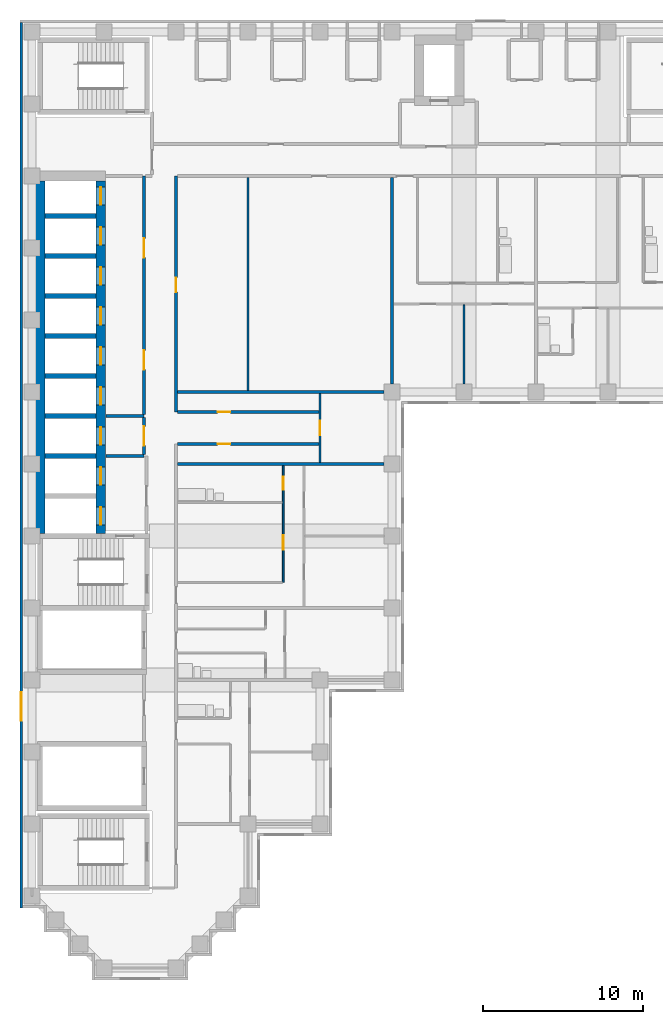
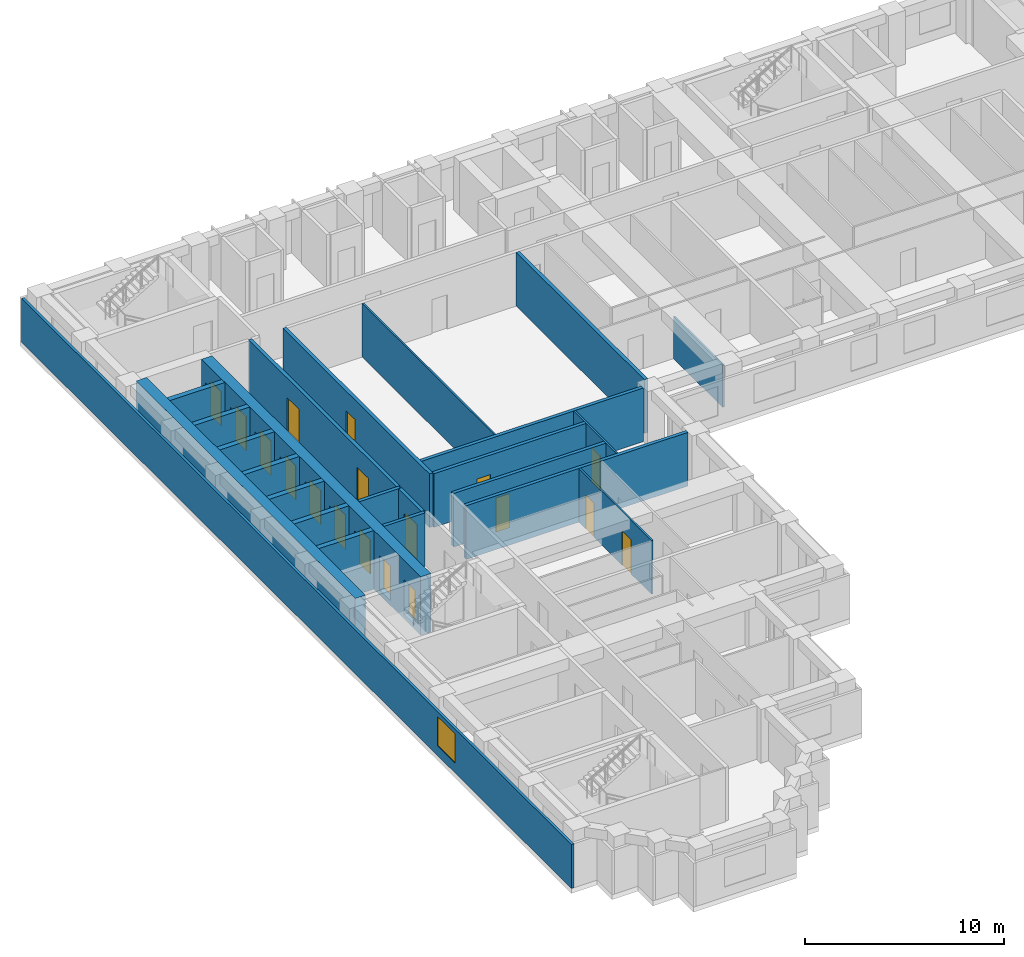
# One storey, part 4 of 12: 24 walls, 18 doors, 1 window, 19 openings.
"""IFC4 building model written with IfcOpenShell, lengths in metres."""

from ifc_helpers import new_model, si_unit, direction, frame, frame_2d, origin, place, context, subcontext, project, spatial, rectangle, extrude, material, layer, layer_set, type_object, element, fill, save


model = new_model("IFC4")

# Units and contexts
model_context = context("Model", 3, precision=1e-05, world=origin(), true_north=direction((0.0, 1.0)))
body_context = subcontext(model_context, "Body", "Model", "MODEL_VIEW")
ifc_project = project(units=[si_unit("LENGTHUNIT", "METRE"), si_unit("AREAUNIT", "SQUARE_METRE"), si_unit("VOLUMEUNIT", "CUBIC_METRE"), si_unit("PLANEANGLEUNIT", "RADIAN"), si_unit("MASSUNIT", "GRAM", prefix="KILO")], contexts=[model_context])

# Site, building, storey
site_placement = place(None, origin())
site = spatial("IfcSite", under=ifc_project, at=site_placement, CompositionType="ELEMENT")
building_placement = place(site_placement, origin())
building = spatial("IfcBuilding", under=site, at=building_placement, Name="Firuza Court", CompositionType="ELEMENT")
storey_placement = place(building_placement, frame((0.0, 0.0, 123.199951171875)))
storey = spatial("IfcBuildingStorey", under=building, at=storey_placement, Name="L30", CompositionType="ELEMENT", Elevation=123.199951171875)

# Walls
ifc_material_1 = material(Name="Concrete C60/75", Category="concrete")
ifc_layer_1 = layer(ifc_material_1, 0.300048828125)
ifc_layer_set_1 = layer_set([ifc_layer_1], Name="Concrete C60/75")
wall_type_1 = type_object("IfcWallType", Name="Core wall 300 C60/75", PredefinedType="SHEAR", material=ifc_layer_set_1)
for number, where, z_axis, x_axis, name in (
    (1, (0.800048828125, 32.0, -0.300048828125), (0.0, 0.0, 1.0), (1.0, 0.0, 0.0), "Core wall lift shaft L30"),
    (2, (0.800048828125, 34.5, -0.300048828125), (0.0, 0.0, 1.0), (1.0, 0.0, 0.0), "Core wall lift shaft L30"),
    (3, (0.800048828125, 37.0, -0.300048828125), (0.0, 0.0, 1.0), (1.0, 0.0, 0.0), "Core wall lift shaft L30"),
    (4, (0.800048828125, 39.5, -0.300048828125), (0.0, 0.0, 1.0), (1.0, 0.0, 0.0), "Core wall lift shaft L30"),
    (5, (0.800048828125, 42.0, -0.300048828125), (0.0, 0.0, 1.0), (1.0, 0.0, 0.0), "Core wall lift shaft L30"),
    (6, (0.800048828125, 44.5, -0.300048828125), (0.0, 0.0, 1.0), (1.0, 0.0, 0.0), "Core wall lift shaft L30"),
    (7, (0.800048828125, 47.0, -0.300048828125), (0.0, 0.0, 1.0), (1.0, 0.0, 0.0), "Core wall lift shaft L30"),
):
    element("IfcWall", number, at=place(storey_placement, frame(where, z_axis=z_axis, x_axis=x_axis)), inside=storey, type_object=wall_type_1, Name=name, PredefinedType="SHEAR", context=body_context, shape_type="SweptSolid", body=[
        extrude(rectangle(XDim=3.199951171875, YDim=0.300048828125, at=frame_2d((1.60009765625, 0.0))), origin(), (0.0, 0.0, 1.0), 3.60009765625),
    ])
ifc_layer_2 = layer(ifc_material_1, 0.60009765625)
ifc_layer_set_2 = layer_set([ifc_layer_2], Name="Concrete C60/75")
wall_type_2 = type_object("IfcWallType", Name="Core wall 600 C60/75", PredefinedType="SHEAR", material=ifc_layer_set_2)
wall_1_placement = place(storey_placement, frame((0.5, 27.14990234375, -0.300048828125), z_axis=(0.0, 0.0, 1.0), x_axis=(0.0, 1.0, 0.0)))
element("IfcWall", 8, at=wall_1_placement, inside=storey, type_object=wall_type_2, Name="Core wall lift shaft L30", PredefinedType="SHEAR", context=body_context, shape_type="SweptSolid", body=[
    extrude(rectangle(XDim=22.050048828125, YDim=0.60009765625, at=frame_2d((11.02490234375, 0.0))), origin(), (0.0, 0.0, 1.0), 3.60009765625),
])

# Wall, openings, doors
wall_2_placement = place(storey_placement, frame((4.300048828125, 27.14990234375, -0.300048828125), z_axis=(0.0, 0.0, 1.0), x_axis=(0.0, 1.0, 0.0)))
wall_2 = element("IfcWall", 9, at=wall_2_placement, inside=storey, type_object=wall_type_2, Name="Core wall lift shaft L30", PredefinedType="SHEAR", context=body_context, shape_type="SweptSolid", body=[
    extrude(rectangle(XDim=22.050048828125, YDim=0.60009765625, at=frame_2d((11.02490234375, 0.0))), origin(), (0.0, 0.0, 1.0), 3.60009765625),
])
opening_1_placement = place(wall_2_placement, frame((3.050048828125, 0.0, 0.300048828125)))
opening_1 = element("IfcOpeningElement", 10, at=opening_1_placement, cuts=wall_2, Name="Opening LD-FL1-30", PredefinedType="OPENING", context=body_context, shape_type="SweptSolid", body=[
    extrude(rectangle(XDim=1.10009765625, YDim=2.10009765625, at=frame_2d((0.550048828125, 1.050048828125))), frame((0.0, 0.31201171875, 0.0), z_axis=(0.0, -1.0, 0.0), x_axis=(1.0, 0.0, 0.0)), (0.0, 0.0, 1.0), 0.6240234375),
])
opening_2_placement = place(wall_2_placement, frame((0.550048828125, 0.0, 0.300048828125)))
opening_2 = element("IfcOpeningElement", 11, at=opening_2_placement, cuts=wall_2, Name="Opening LD-FL2-30", PredefinedType="OPENING", context=body_context, shape_type="SweptSolid", body=[
    extrude(rectangle(XDim=1.10009765625, YDim=2.10009765625, at=frame_2d((0.550048828125, 1.050048828125))), frame((0.0, 0.31201171875, 0.0), z_axis=(0.0, -1.0, 0.0), x_axis=(1.0, 0.0, 0.0)), (0.0, 0.0, 1.0), 0.6240234375),
])
opening_3_placement = place(wall_2_placement, frame((20.550048828125, 0.0, 0.300048828125)))
opening_3 = element("IfcOpeningElement", 12, at=opening_3_placement, cuts=wall_2, Name="Opening LD-HB1-30", PredefinedType="OPENING", context=body_context, shape_type="SweptSolid", body=[
    extrude(rectangle(XDim=1.10009765625, YDim=2.10009765625, at=frame_2d((0.550048828125, 1.050048828125))), frame((0.0, 0.31201171875, 0.0), z_axis=(0.0, -1.0, 0.0), x_axis=(1.0, 0.0, 0.0)), (0.0, 0.0, 1.0), 0.6240234375),
])
opening_4_placement = place(wall_2_placement, frame((18.050048828125, 0.0, 0.300048828125)))
opening_4 = element("IfcOpeningElement", 13, at=opening_4_placement, cuts=wall_2, Name="Opening LD-HB2-30", PredefinedType="OPENING", context=body_context, shape_type="SweptSolid", body=[
    extrude(rectangle(XDim=1.10009765625, YDim=2.10009765625, at=frame_2d((0.550048828125, 1.050048828125))), frame((0.0, 0.31201171875, 0.0), z_axis=(0.0, -1.0, 0.0), x_axis=(1.0, 0.0, 0.0)), (0.0, 0.0, 1.0), 0.6240234375),
])
opening_5_placement = place(wall_2_placement, frame((15.550048828125, 0.0, 0.300048828125)))
opening_5 = element("IfcOpeningElement", 14, at=opening_5_placement, cuts=wall_2, Name="Opening LD-HB3-30", PredefinedType="OPENING", context=body_context, shape_type="SweptSolid", body=[
    extrude(rectangle(XDim=1.10009765625, YDim=2.10009765625, at=frame_2d((0.550048828125, 1.050048828125))), frame((0.0, 0.31201171875, 0.0), z_axis=(0.0, -1.0, 0.0), x_axis=(1.0, 0.0, 0.0)), (0.0, 0.0, 1.0), 0.6240234375),
])
opening_6_placement = place(wall_2_placement, frame((13.050048828125, 0.0, 0.300048828125)))
opening_6 = element("IfcOpeningElement", 15, at=opening_6_placement, cuts=wall_2, Name="Opening LD-HB4-30", PredefinedType="OPENING", context=body_context, shape_type="SweptSolid", body=[
    extrude(rectangle(XDim=1.10009765625, YDim=2.10009765625, at=frame_2d((0.550048828125, 1.050048828125))), frame((0.0, 0.31201171875, 0.0), z_axis=(0.0, -1.0, 0.0), x_axis=(1.0, 0.0, 0.0)), (0.0, 0.0, 1.0), 0.6240234375),
])
opening_7_placement = place(wall_2_placement, frame((10.550048828125, 0.0, 0.300048828125)))
opening_7 = element("IfcOpeningElement", 16, at=opening_7_placement, cuts=wall_2, Name="Opening LD-HB5-30", PredefinedType="OPENING", context=body_context, shape_type="SweptSolid", body=[
    extrude(rectangle(XDim=1.10009765625, YDim=2.10009765625, at=frame_2d((0.550048828125, 1.050048828125))), frame((0.0, 0.31201171875, 0.0), z_axis=(0.0, -1.0, 0.0), x_axis=(1.0, 0.0, 0.0)), (0.0, 0.0, 1.0), 0.6240234375),
])
opening_8_placement = place(wall_2_placement, frame((8.050048828125, 0.0, 0.300048828125)))
opening_8 = element("IfcOpeningElement", 17, at=opening_8_placement, cuts=wall_2, Name="Opening LD-HB6-30", PredefinedType="OPENING", context=body_context, shape_type="SweptSolid", body=[
    extrude(rectangle(XDim=1.10009765625, YDim=2.10009765625, at=frame_2d((0.550048828125, 1.050048828125))), frame((0.0, 0.31201171875, 0.0), z_axis=(0.0, -1.0, 0.0), x_axis=(1.0, 0.0, 0.0)), (0.0, 0.0, 1.0), 0.6240234375),
])
opening_9_placement = place(wall_2_placement, frame((5.550048828125, 0.0, 0.300048828125)))
opening_9 = element("IfcOpeningElement", 18, at=opening_9_placement, cuts=wall_2, Name="Opening LD-SL1-30", PredefinedType="OPENING", context=body_context, shape_type="SweptSolid", body=[
    extrude(rectangle(XDim=1.10009765625, YDim=2.10009765625, at=frame_2d((0.550048828125, 1.050048828125))), frame((0.0, 0.31201171875, 0.0), z_axis=(0.0, -1.0, 0.0), x_axis=(1.0, 0.0, 0.0)), (0.0, 0.0, 1.0), 0.6240234375),
])
ifc_material_2 = material(Name="Stainless steel 1.4301 door leaf", Category="steel")
door_type_1 = type_object("IfcDoorType", Name="Lift landing door 1100", OperationType="SLIDING_TO_LEFT", PredefinedType="DOOR", material=ifc_material_2)
door_1_placement = place(opening_1_placement, origin())
door_1 = element("IfcDoor", 19, at=door_1_placement, inside=storey, type_object=door_type_1, Name="Landing door FL1", OperationType="SLIDING_TO_LEFT", OverallHeight=2.10009765625, OverallWidth=1.10009765625, PredefinedType="DOOR", context=body_context, shape_type="SweptSolid", body=[
    extrude(rectangle(XDim=1.10009765625, YDim=2.10009765625, at=frame_2d((0.550048828125, 1.050048828125))), frame((0.0, 0.02490234375, 0.0), z_axis=(0.0, -1.0, 0.0), x_axis=(1.0, 0.0, 0.0)), (0.0, 0.0, 1.0), 0.050048828125),
])
fill(opening_1, door_1)
door_2_placement = place(opening_2_placement, origin())
door_2 = element("IfcDoor", 20, at=door_2_placement, inside=storey, type_object=door_type_1, Name="Landing door FL2", OperationType="SLIDING_TO_LEFT", OverallHeight=2.10009765625, OverallWidth=1.10009765625, PredefinedType="DOOR", context=body_context, shape_type="SweptSolid", body=[
    extrude(rectangle(XDim=1.10009765625, YDim=2.10009765625, at=frame_2d((0.550048828125, 1.050048828125))), frame((0.0, 0.02490234375, 0.0), z_axis=(0.0, -1.0, 0.0), x_axis=(1.0, 0.0, 0.0)), (0.0, 0.0, 1.0), 0.050048828125),
])
fill(opening_2, door_2)
door_3_placement = place(opening_3_placement, origin())
door_3 = element("IfcDoor", 21, at=door_3_placement, inside=storey, type_object=door_type_1, Name="Landing door HB1", OperationType="SLIDING_TO_LEFT", OverallHeight=2.10009765625, OverallWidth=1.10009765625, PredefinedType="DOOR", context=body_context, shape_type="SweptSolid", body=[
    extrude(rectangle(XDim=1.10009765625, YDim=2.10009765625, at=frame_2d((0.550048828125, 1.050048828125))), frame((0.0, 0.02490234375, 0.0), z_axis=(0.0, -1.0, 0.0), x_axis=(1.0, 0.0, 0.0)), (0.0, 0.0, 1.0), 0.050048828125),
])
fill(opening_3, door_3)
door_4_placement = place(opening_4_placement, origin())
door_4 = element("IfcDoor", 22, at=door_4_placement, inside=storey, type_object=door_type_1, Name="Landing door HB2", OperationType="SLIDING_TO_LEFT", OverallHeight=2.10009765625, OverallWidth=1.10009765625, PredefinedType="DOOR", context=body_context, shape_type="SweptSolid", body=[
    extrude(rectangle(XDim=1.10009765625, YDim=2.10009765625, at=frame_2d((0.550048828125, 1.050048828125))), frame((0.0, 0.02490234375, 0.0), z_axis=(0.0, -1.0, 0.0), x_axis=(1.0, 0.0, 0.0)), (0.0, 0.0, 1.0), 0.050048828125),
])
fill(opening_4, door_4)
door_5_placement = place(opening_5_placement, origin())
door_5 = element("IfcDoor", 23, at=door_5_placement, inside=storey, type_object=door_type_1, Name="Landing door HB3", OperationType="SLIDING_TO_LEFT", OverallHeight=2.10009765625, OverallWidth=1.10009765625, PredefinedType="DOOR", context=body_context, shape_type="SweptSolid", body=[
    extrude(rectangle(XDim=1.10009765625, YDim=2.10009765625, at=frame_2d((0.550048828125, 1.050048828125))), frame((0.0, 0.02490234375, 0.0), z_axis=(0.0, -1.0, 0.0), x_axis=(1.0, 0.0, 0.0)), (0.0, 0.0, 1.0), 0.050048828125),
])
fill(opening_5, door_5)
door_6_placement = place(opening_6_placement, origin())
door_6 = element("IfcDoor", 24, at=door_6_placement, inside=storey, type_object=door_type_1, Name="Landing door HB4", OperationType="SLIDING_TO_LEFT", OverallHeight=2.10009765625, OverallWidth=1.10009765625, PredefinedType="DOOR", context=body_context, shape_type="SweptSolid", body=[
    extrude(rectangle(XDim=1.10009765625, YDim=2.10009765625, at=frame_2d((0.550048828125, 1.050048828125))), frame((0.0, 0.02490234375, 0.0), z_axis=(0.0, -1.0, 0.0), x_axis=(1.0, 0.0, 0.0)), (0.0, 0.0, 1.0), 0.050048828125),
])
fill(opening_6, door_6)
door_7_placement = place(opening_7_placement, origin())
door_7 = element("IfcDoor", 25, at=door_7_placement, inside=storey, type_object=door_type_1, Name="Landing door HB5", OperationType="SLIDING_TO_LEFT", OverallHeight=2.10009765625, OverallWidth=1.10009765625, PredefinedType="DOOR", context=body_context, shape_type="SweptSolid", body=[
    extrude(rectangle(XDim=1.10009765625, YDim=2.10009765625, at=frame_2d((0.550048828125, 1.050048828125))), frame((0.0, 0.02490234375, 0.0), z_axis=(0.0, -1.0, 0.0), x_axis=(1.0, 0.0, 0.0)), (0.0, 0.0, 1.0), 0.050048828125),
])
fill(opening_7, door_7)
door_8_placement = place(opening_8_placement, origin())
door_8 = element("IfcDoor", 26, at=door_8_placement, inside=storey, type_object=door_type_1, Name="Landing door HB6", OperationType="SLIDING_TO_LEFT", OverallHeight=2.10009765625, OverallWidth=1.10009765625, PredefinedType="DOOR", context=body_context, shape_type="SweptSolid", body=[
    extrude(rectangle(XDim=1.10009765625, YDim=2.10009765625, at=frame_2d((0.550048828125, 1.050048828125))), frame((0.0, 0.02490234375, 0.0), z_axis=(0.0, -1.0, 0.0), x_axis=(1.0, 0.0, 0.0)), (0.0, 0.0, 1.0), 0.050048828125),
])
fill(opening_8, door_8)
door_9_placement = place(opening_9_placement, origin())
door_9 = element("IfcDoor", 27, at=door_9_placement, inside=storey, type_object=door_type_1, Name="Landing door SL1", OperationType="SLIDING_TO_LEFT", OverallHeight=2.10009765625, OverallWidth=1.10009765625, PredefinedType="DOOR", context=body_context, shape_type="SweptSolid", body=[
    extrude(rectangle(XDim=1.10009765625, YDim=2.10009765625, at=frame_2d((0.550048828125, 1.050048828125))), frame((0.0, 0.02490234375, 0.0), z_axis=(0.0, -1.0, 0.0), x_axis=(1.0, 0.0, 0.0)), (0.0, 0.0, 1.0), 0.050048828125),
])
fill(opening_9, door_9)

# Wall, opening, door
ifc_material_3 = material(Name="Blockwork, plastered both sides", Category="masonry")
ifc_layer_3 = layer(ifc_material_3, 0.199951171875)
ifc_layer_set_3 = layer_set([ifc_layer_3], Name="Blockwork, plastered both sides")
wall_type_3 = type_object("IfcWallType", Name="Corridor wall 200", PredefinedType="PARTITIONING", material=ifc_layer_set_3)
wall_3_placement = place(storey_placement, frame((9.10009765625, 32.75, 0.0), z_axis=(0.0, 0.0, 1.0), x_axis=(1.0, 0.0, 0.0)))
wall_3 = element("IfcWall", 28, at=wall_3_placement, inside=storey, type_object=wall_type_3, Name="Corridor wall 200 L30", PredefinedType="PARTITIONING", context=body_context, shape_type="SweptSolid", body=[
    extrude(rectangle(XDim=8.849853515625, YDim=0.199951171875, at=frame_2d((4.4248046875, 0.0))), origin(), (0.0, 0.0, 1.0), 3.300048828125),
])
opening_10_placement = place(wall_3_placement, frame((2.5, 0.0, 0.0)))
opening_10 = element("IfcOpeningElement", 29, at=opening_10_placement, cuts=wall_3, Name="Opening D30035", PredefinedType="OPENING", context=body_context, shape_type="SweptSolid", body=[
    extrude(rectangle(XDim=0.800048828125, YDim=2.10009765625, at=frame_2d((0.39990234375, 1.050048828125))), frame((0.0, 0.11181640625, 0.0), z_axis=(0.0, -1.0, 0.0), x_axis=(1.0, 0.0, 0.0)), (0.0, 0.0, 1.0), 0.223876953125),
])
ifc_material_4 = material(Name="Timber door leaf in hardwood frame", Category="wood")
door_type_2 = type_object("IfcDoorType", Name="Room door 800 EI 30", OperationType="SINGLE_SWING_LEFT", PredefinedType="DOOR", material=ifc_material_4)
door_10_placement = place(opening_10_placement, frame((0.800048828125, 0.0, 0.0), z_axis=(0.0, 0.0, 1.0), x_axis=(-1.0, 0.0, 0.0)))
door_10 = element("IfcDoor", 30, at=door_10_placement, inside=storey, type_object=door_type_2, Name="Store door", OperationType="SINGLE_SWING_RIGHT", OverallHeight=2.10009765625, OverallWidth=0.800048828125, PredefinedType="DOOR", context=body_context, shape_type="SweptSolid", body=[
    extrude(rectangle(XDim=0.800048828125, YDim=2.10009765625, at=frame_2d((0.39990234375, 1.050048828125))), frame((0.0, 0.02490234375, 0.0), z_axis=(0.0, -1.0, 0.0), x_axis=(1.0, 0.0, 0.0)), (0.0, 0.0, 1.0), 0.050048828125),
])
fill(opening_10, door_10)

wall_4_placement = place(storey_placement, frame((9.0, 34.75, 0.0), z_axis=(0.0, 0.0, 1.0), x_axis=(0.0, 1.0, 0.0)))
wall_4 = element("IfcWall", 31, at=wall_4_placement, inside=storey, type_object=wall_type_3, Name="Corridor wall 200 L30", PredefinedType="PARTITIONING", context=body_context, shape_type="SweptSolid", body=[
    extrude(rectangle(XDim=14.75, YDim=0.199951171875, at=frame_2d((7.375, 0.0))), origin(), (0.0, 0.0, 1.0), 3.300048828125),
])
opening_11_placement = place(wall_4_placement, frame((7.5, 0.0, 0.0)))
opening_11 = element("IfcOpeningElement", 32, at=opening_11_placement, cuts=wall_4, Name="Opening D30036", PredefinedType="OPENING", context=body_context, shape_type="SweptSolid", body=[
    extrude(rectangle(XDim=0.89990234375, YDim=2.10009765625, at=frame_2d((0.449951171875, 1.050048828125))), frame((0.0, 0.11181640625, 0.0), z_axis=(0.0, -1.0, 0.0), x_axis=(1.0, 0.0, 0.0)), (0.0, 0.0, 1.0), 0.223876953125),
])
ifc_material_5 = material(Name="Timber door leaf in hardwood frame", Category="wood")
door_type_3 = type_object("IfcDoorType", Name="Room door 900 EI 30", OperationType="SINGLE_SWING_LEFT", PredefinedType="DOOR", material=ifc_material_5)
door_11_placement = place(opening_11_placement, origin())
door_11 = element("IfcDoor", 33, at=door_11_placement, inside=storey, type_object=door_type_3, Name="Residents' lounge door", OperationType="SINGLE_SWING_LEFT", OverallHeight=2.10009765625, OverallWidth=0.89990234375, PredefinedType="DOOR", context=body_context, shape_type="SweptSolid", body=[
    extrude(rectangle(XDim=0.89990234375, YDim=2.10009765625, at=frame_2d((0.449951171875, 1.050048828125))), frame((0.0, 0.02490234375, 0.0), z_axis=(0.0, -1.0, 0.0), x_axis=(1.0, 0.0, 0.0)), (0.0, 0.0, 1.0), 0.050048828125),
])
fill(opening_11, door_11)

wall_5_placement = place(storey_placement, frame((9.10009765625, 34.75, 0.0), z_axis=(0.0, 0.0, 1.0), x_axis=(1.0, 0.0, 0.0)))
wall_5 = element("IfcWall", 34, at=wall_5_placement, inside=storey, type_object=wall_type_3, Name="Corridor wall 200 L30", PredefinedType="PARTITIONING", context=body_context, shape_type="SweptSolid", body=[
    extrude(rectangle(XDim=8.849853515625, YDim=0.199951171875, at=frame_2d((4.4248046875, 0.0))), origin(), (0.0, 0.0, 1.0), 3.300048828125),
])
opening_12_placement = place(wall_5_placement, frame((2.5, 0.0, 0.0)))
opening_12 = element("IfcOpeningElement", 35, at=opening_12_placement, cuts=wall_5, Name="Opening D30037", PredefinedType="OPENING", context=body_context, shape_type="SweptSolid", body=[
    extrude(rectangle(XDim=0.800048828125, YDim=2.10009765625, at=frame_2d((0.39990234375, 1.050048828125))), frame((0.0, 0.11181640625, 0.0), z_axis=(0.0, -1.0, 0.0), x_axis=(1.0, 0.0, 0.0)), (0.0, 0.0, 1.0), 0.223876953125),
])
door_12_placement = place(opening_12_placement, origin())
door_12 = element("IfcDoor", 36, at=door_12_placement, inside=storey, type_object=door_type_2, Name="Store door", OperationType="SINGLE_SWING_LEFT", OverallHeight=2.10009765625, OverallWidth=0.800048828125, PredefinedType="DOOR", context=body_context, shape_type="SweptSolid", body=[
    extrude(rectangle(XDim=0.800048828125, YDim=2.10009765625, at=frame_2d((0.39990234375, 1.050048828125))), frame((0.0, 0.02490234375, 0.0), z_axis=(0.0, -1.0, 0.0), x_axis=(1.0, 0.0, 0.0)), (0.0, 0.0, 1.0), 0.050048828125),
])
fill(opening_12, door_12)

# Wall, openings, doors
ifc_material_6 = material(Name="Timber stud partition, plasterboard both sides", Category="wood")
ifc_layer_4 = layer(ifc_material_6, 0.10009765625)
ifc_layer_set_4 = layer_set([ifc_layer_4], Name="Timber stud partition, plasterboard both sides")
wall_type_4 = type_object("IfcWallType", Name="Partition wall 100", PredefinedType="PARTITIONING", material=ifc_layer_set_4)
wall_6_placement = place(storey_placement, frame((15.699951171875, 24.10009765625, 0.0), z_axis=(0.0, 0.0, 1.0), x_axis=(0.0, 1.0, 0.0)))
wall_6 = element("IfcWall", 37, at=wall_6_placement, inside=storey, type_object=wall_type_4, Name="Partition wall 100 L30", PredefinedType="PARTITIONING", context=body_context, shape_type="SweptSolid", body=[
    extrude(rectangle(XDim=7.2998046875, YDim=0.10009765625, at=frame_2d((3.64990234375, 0.0))), origin(), (0.0, 0.0, 1.0), 3.300048828125),
])
opening_13_placement = place(wall_6_placement, frame((5.800048828125, 0.0, 0.0)))
opening_13 = element("IfcOpeningElement", 38, at=opening_13_placement, cuts=wall_6, Name="Opening D30032", PredefinedType="OPENING", context=body_context, shape_type="SweptSolid", body=[
    extrude(rectangle(XDim=0.800048828125, YDim=2.10009765625, at=frame_2d((0.39990234375, 1.050048828125))), frame((0.0, 0.06201171875, 0.0), z_axis=(0.0, -1.0, 0.0), x_axis=(1.0, 0.0, 0.0)), (0.0, 0.0, 1.0), 0.1240234375),
])
opening_14_placement = place(wall_6_placement, frame((2.050048828125, 0.0, 0.0)))
opening_14 = element("IfcOpeningElement", 39, at=opening_14_placement, cuts=wall_6, Name="Opening D30033", PredefinedType="OPENING", context=body_context, shape_type="SweptSolid", body=[
    extrude(rectangle(XDim=0.89990234375, YDim=2.10009765625, at=frame_2d((0.449951171875, 1.050048828125))), frame((0.0, 0.06201171875, 0.0), z_axis=(0.0, -1.0, 0.0), x_axis=(1.0, 0.0, 0.0)), (0.0, 0.0, 1.0), 0.1240234375),
])
ifc_material_7 = material(Name="Timber door leaf in hardwood frame", Category="wood")
door_type_4 = type_object("IfcDoorType", Name="Bathroom door 800", OperationType="SINGLE_SWING_LEFT", PredefinedType="DOOR", material=ifc_material_7)
door_13_placement = place(opening_13_placement, origin())
door_13 = element("IfcDoor", 40, at=door_13_placement, inside=storey, type_object=door_type_4, Name="Bathroom door", OperationType="SINGLE_SWING_LEFT", OverallHeight=2.10009765625, OverallWidth=0.800048828125, PredefinedType="DOOR", context=body_context, shape_type="SweptSolid", body=[
    extrude(rectangle(XDim=0.800048828125, YDim=2.10009765625, at=frame_2d((0.39990234375, 1.050048828125))), frame((0.0, 0.02490234375, 0.0), z_axis=(0.0, -1.0, 0.0), x_axis=(1.0, 0.0, 0.0)), (0.0, 0.0, 1.0), 0.050048828125),
])
fill(opening_13, door_13)
ifc_material_8 = material(Name="Timber door leaf in hardwood frame", Category="wood")
door_type_5 = type_object("IfcDoorType", Name="Room door 900", OperationType="SINGLE_SWING_LEFT", PredefinedType="DOOR", material=ifc_material_8)
door_14_placement = place(opening_14_placement, origin())
door_14 = element("IfcDoor", 41, at=door_14_placement, inside=storey, type_object=door_type_5, Name="Kitchen door", OperationType="SINGLE_SWING_LEFT", OverallHeight=2.10009765625, OverallWidth=0.89990234375, PredefinedType="DOOR", context=body_context, shape_type="SweptSolid", body=[
    extrude(rectangle(XDim=0.89990234375, YDim=2.10009765625, at=frame_2d((0.449951171875, 1.050048828125))), frame((0.0, 0.02490234375, 0.0), z_axis=(0.0, -1.0, 0.0), x_axis=(1.0, 0.0, 0.0)), (0.0, 0.0, 1.0), 0.050048828125),
])
fill(opening_14, door_14)

# Wall, opening, door
wall_7_placement = place(storey_placement, frame((18.0, 31.60009765625, 0.0), z_axis=(0.0, 0.0, 1.0), x_axis=(0.0, 1.0, 0.0)))
wall_7 = element("IfcWall", 42, at=wall_7_placement, inside=storey, type_object=wall_type_4, Name="Partition wall 100 L30", PredefinedType="PARTITIONING", context=body_context, shape_type="SweptSolid", body=[
    extrude(rectangle(XDim=4.2998046875, YDim=0.10009765625, at=frame_2d((2.14990234375, 0.0))), origin(), (0.0, 0.0, 1.0), 3.300048828125),
])
opening_15_placement = place(wall_7_placement, frame((1.699951171875, 0.0, 0.0)))
opening_15 = element("IfcOpeningElement", 43, at=opening_15_placement, cuts=wall_7, Name="Opening D30034", PredefinedType="OPENING", context=body_context, shape_type="SweptSolid", body=[
    extrude(rectangle(XDim=0.89990234375, YDim=2.10009765625, at=frame_2d((0.449951171875, 1.050048828125))), frame((0.0, 0.06201171875, 0.0), z_axis=(0.0, -1.0, 0.0), x_axis=(1.0, 0.0, 0.0)), (0.0, 0.0, 1.0), 0.1240234375),
])
door_15_placement = place(opening_15_placement, origin())
door_15 = element("IfcDoor", 44, at=door_15_placement, inside=storey, type_object=door_type_5, Name="Residents' lounge door", OperationType="SINGLE_SWING_LEFT", OverallHeight=2.10009765625, OverallWidth=0.89990234375, PredefinedType="DOOR", context=body_context, shape_type="SweptSolid", body=[
    extrude(rectangle(XDim=0.89990234375, YDim=2.10009765625, at=frame_2d((0.449951171875, 1.050048828125))), frame((0.0, 0.02490234375, 0.0), z_axis=(0.0, -1.0, 0.0), x_axis=(1.0, 0.0, 0.0)), (0.0, 0.0, 1.0), 0.050048828125),
])
fill(opening_15, door_15)

# Walls
wall_8_placement = place(storey_placement, frame((13.5, 36.10009765625, 0.0), z_axis=(0.0, 0.0, 1.0), x_axis=(0.0, 1.0, 0.0)))
element("IfcWall", 45, at=wall_8_placement, inside=storey, type_object=wall_type_4, Name="Partition wall 100 L30", PredefinedType="PARTITIONING", context=body_context, shape_type="SweptSolid", body=[
    extrude(rectangle(XDim=13.2998046875, YDim=0.10009765625, at=frame_2d((6.64990234375, 0.0))), origin(), (0.0, 0.0, 1.0), 3.300048828125),
])
wall_9_placement = place(storey_placement, frame((27.0, 36.5, 0.0), z_axis=(0.0, 0.0, 1.0), x_axis=(0.0, 1.0, 0.0)))
element("IfcWall", 46, at=wall_9_placement, inside=storey, type_object=wall_type_4, Name="Partition wall 100 L30", PredefinedType="PARTITIONING", context=body_context, shape_type="SweptSolid", body=[
    extrude(rectangle(XDim=4.949951171875, YDim=0.10009765625, at=frame_2d((2.47509765625, 0.0))), origin(), (0.0, 0.0, 1.0), 2.60009765625),
])
ifc_layer_5 = layer(ifc_material_3, 0.199951171875)
ifc_layer_set_5 = layer_set([ifc_layer_5], Name="Blockwork, plastered both sides")
wall_type_5 = type_object("IfcWallType", Name="Party wall 200", PredefinedType="PARTITIONING", material=ifc_layer_set_5)
for number, where, z_axis, x_axis, name in (
    (47, (9.10009765625, 31.5, 0.0), (0.0, 0.0, 1.0), (1.0, 0.0, 0.0), "Party wall 200 L30"),
    (48, (9.10009765625, 36.0, 0.0), (0.0, 0.0, 1.0), (1.0, 0.0, 0.0), "Party wall 200 L30"),
    (49, (22.5, 36.5, 0.0), (0.0, 0.0, 1.0), (0.0, 1.0, 0.0), "Party wall 200 L30"),
):
    element("IfcWall", number, at=place(storey_placement, frame(where, z_axis=z_axis, x_axis=x_axis)), inside=storey, type_object=wall_type_5, Name=name, PredefinedType="PARTITIONING", context=body_context, shape_type="SweptSolid", body=[
        extrude(rectangle(XDim=12.89990234375, YDim=0.199951171875, at=frame_2d((6.449951171875, 0.0))), origin(), (0.0, 0.0, 1.0), 3.300048828125),
    ])

# Wall, opening, window
ifc_material_9 = material(Name="Ceramic tile", Category="ceramic")
ifc_layer_6 = layer(ifc_material_9, 0.02001953125)
ifc_material_10 = material(Name="Mineral wool insulation", Category="insulation")
ifc_layer_7 = layer(ifc_material_10, 0.050048828125)
ifc_material_11 = material(Name="Concrete C40/50 precast", Category="concrete")
ifc_layer_8 = layer(ifc_material_11, 0.080078125)
ifc_layer_set_6 = layer_set([ifc_layer_6, ifc_layer_7, ifc_layer_8], Name="Concrete C40/50 precast")
wall_type_6 = type_object("IfcWallType", Name="Precast cladding wall with turquoise TILE PANEL face 150", PredefinedType="STANDARD", material=ifc_layer_set_6)
wall_10_placement = place(storey_placement, frame((-0.675048828125, 59.10009765625, 0.0), z_axis=(0.0, 0.0, 1.0), x_axis=(0.0, -1.0, 0.0)))
wall_10 = element("IfcWall", 50, at=wall_10_placement, inside=storey, type_object=wall_type_6, Name="Facade wall L30 W", PredefinedType="STANDARD", context=body_context, shape_type="SweptSolid", body=[
    extrude(rectangle(XDim=55.35009765625, YDim=0.14990234375, at=frame_2d((27.675048828125, 0.0))), origin(), (0.0, 0.0, 1.0), 2.699951171875),
])
opening_16_placement = place(wall_10_placement, frame((41.859619140625, 0.0, 0.60009765625)))
opening_16 = element("IfcOpeningElement", 51, at=opening_16_placement, cuts=wall_10, Name="Opening W7", PredefinedType="OPENING", context=body_context, shape_type="SweptSolid", body=[
    extrude(rectangle(XDim=1.800048828125, YDim=1.800048828125, at=frame_2d((0.89990234375, 0.89990234375))), frame((0.0, 0.0869140625, 0.0), z_axis=(0.0, -1.0, 0.0), x_axis=(1.0, 0.0, 0.0)), (0.0, 0.0, 1.0), 0.173828125),
])
ifc_material_12 = material(Name="Aluminium frame, triple clear glazing", Category="aluminium")
window_type = type_object("IfcWindowType", Name="Window W7 1800 x 1800", PartitioningType="SINGLE_PANEL", PredefinedType="WINDOW", material=ifc_material_12)
window_placement = place(opening_16_placement, origin())
window = element("IfcWindow", 52, at=window_placement, inside=storey, type_object=window_type, Name="Window L30", OverallHeight=1.800048828125, OverallWidth=1.800048828125, PartitioningType="SINGLE_PANEL", PredefinedType="WINDOW", context=body_context, shape_type="SweptSolid", body=[
    extrude(rectangle(XDim=1.800048828125, YDim=1.800048828125, at=frame_2d((0.89990234375, 0.89990234375))), frame((0.0, 0.030029296875, 0.0), z_axis=(0.0, -1.0, 0.0), x_axis=(1.0, 0.0, 0.0)), (0.0, 0.0, 1.0), 0.06005859375),
])
fill(opening_16, window)

# Wall
ifc_material_13 = material(Name="Blockwork, fire-rated", Category="masonry")
ifc_layer_9 = layer(ifc_material_13, 0.199951171875)
ifc_layer_set_7 = layer_set([ifc_layer_9], Name="Blockwork, fire-rated")
wall_type_7 = type_object("IfcWallType", Name="Shaft wall 200", PredefinedType="PARTITIONING", material=ifc_layer_set_7)
wall_11_placement = place(storey_placement, frame((4.6201171875, 34.5, 0.0), z_axis=(0.0, 0.0, 1.0), x_axis=(1.0, 0.0, 0.0)))
element("IfcWall", 53, at=wall_11_placement, inside=storey, type_object=wall_type_7, Name="Shaft wall 200 L30", PredefinedType="PARTITIONING", context=body_context, shape_type="SweptSolid", body=[
    extrude(rectangle(XDim=2.3798828125, YDim=0.199951171875, at=frame_2d((1.18994140625, 0.0))), origin(), (0.0, 0.0, 1.0), 3.300048828125),
])

# Wall, openings, doors
wall_12_placement = place(storey_placement, frame((7.0, 34.60009765625, 0.0), z_axis=(0.0, 0.0, 1.0), x_axis=(0.0, 1.0, 0.0)))
wall_12 = element("IfcWall", 54, at=wall_12_placement, inside=storey, type_object=wall_type_7, Name="Shaft wall 200 L30", PredefinedType="PARTITIONING", context=body_context, shape_type="SweptSolid", body=[
    extrude(rectangle(XDim=14.89990234375, YDim=0.199951171875, at=frame_2d((7.449951171875, 0.0))), origin(), (0.0, 0.0, 1.0), 3.300048828125),
])
opening_17_placement = place(wall_12_placement, frame((2.800048828125, 0.0, 0.0)))
opening_17 = element("IfcOpeningElement", 55, at=opening_17_placement, cuts=wall_12, Name="Opening D30004", PredefinedType="OPENING", context=body_context, shape_type="SweptSolid", body=[
    extrude(rectangle(XDim=1.199951171875, YDim=2.10009765625, at=frame_2d((0.60009765625, 1.050048828125))), frame((0.0, 0.11181640625, 0.0), z_axis=(0.0, -1.0, 0.0), x_axis=(1.0, 0.0, 0.0)), (0.0, 0.0, 1.0), 0.223876953125),
])
opening_18_placement = place(wall_12_placement, frame((9.800048828125, 0.0, 0.0)))
opening_18 = element("IfcOpeningElement", 56, at=opening_18_placement, cuts=wall_12, Name="Opening D30005", PredefinedType="OPENING", context=body_context, shape_type="SweptSolid", body=[
    extrude(rectangle(XDim=1.199951171875, YDim=2.10009765625, at=frame_2d((0.60009765625, 1.050048828125))), frame((0.0, 0.11181640625, 0.0), z_axis=(0.0, -1.0, 0.0), x_axis=(1.0, 0.0, 0.0)), (0.0, 0.0, 1.0), 0.223876953125),
])
ifc_material_14 = material(Name="Timber door leaf in hardwood frame", Category="wood")
door_type_6 = type_object("IfcDoorType", Name="Lobby door 1200", OperationType="SINGLE_SWING_LEFT", PredefinedType="DOOR", material=ifc_material_14)
door_16_placement = place(opening_17_placement, origin())
door_16 = element("IfcDoor", 57, at=door_16_placement, inside=storey, type_object=door_type_6, Name="Lobby door", OperationType="SINGLE_SWING_LEFT", OverallHeight=2.10009765625, OverallWidth=1.199951171875, PredefinedType="DOOR", context=body_context, shape_type="SweptSolid", body=[
    extrude(rectangle(XDim=1.199951171875, YDim=2.10009765625, at=frame_2d((0.60009765625, 1.050048828125))), frame((0.0, 0.02490234375, 0.0), z_axis=(0.0, -1.0, 0.0), x_axis=(1.0, 0.0, 0.0)), (0.0, 0.0, 1.0), 0.050048828125),
])
fill(opening_17, door_16)
door_17_placement = place(opening_18_placement, origin())
door_17 = element("IfcDoor", 58, at=door_17_placement, inside=storey, type_object=door_type_6, Name="Lobby door", OperationType="SINGLE_SWING_RIGHT", OverallHeight=2.10009765625, OverallWidth=1.199951171875, PredefinedType="DOOR", context=body_context, shape_type="SweptSolid", body=[
    extrude(rectangle(XDim=1.199951171875, YDim=2.10009765625, at=frame_2d((0.60009765625, 1.050048828125))), frame((0.0, 0.02490234375, 0.0), z_axis=(0.0, -1.0, 0.0), x_axis=(1.0, 0.0, 0.0)), (0.0, 0.0, 1.0), 0.050048828125),
])
fill(opening_18, door_17)

# Wall
wall_13_placement = place(storey_placement, frame((4.6201171875, 32.0, 0.0), z_axis=(0.0, 0.0, 1.0), x_axis=(1.0, 0.0, 0.0)))
element("IfcWall", 59, at=wall_13_placement, inside=storey, type_object=wall_type_7, Name="Shaft wall 200 L30", PredefinedType="PARTITIONING", context=body_context, shape_type="SweptSolid", body=[
    extrude(rectangle(XDim=2.3798828125, YDim=0.199951171875, at=frame_2d((1.18994140625, 0.0))), origin(), (0.0, 0.0, 1.0), 3.300048828125),
])

# Wall, opening, door
wall_14_placement = place(storey_placement, frame((7.0, 32.10009765625, 0.0), z_axis=(0.0, 0.0, 1.0), x_axis=(0.0, 1.0, 0.0)))
wall_14 = element("IfcWall", 60, at=wall_14_placement, inside=storey, type_object=wall_type_7, Name="Shaft wall 200 L30", PredefinedType="PARTITIONING", context=body_context, shape_type="SweptSolid", body=[
    extrude(rectangle(XDim=2.2998046875, YDim=0.199951171875, at=frame_2d((1.14990234375, 0.0))), origin(), (0.0, 0.0, 1.0), 3.300048828125),
])
opening_19_placement = place(wall_14_placement, frame((0.550048828125, 0.0, 0.0)))
opening_19 = element("IfcOpeningElement", 61, at=opening_19_placement, cuts=wall_14, Name="Opening D30008", PredefinedType="OPENING", context=body_context, shape_type="SweptSolid", body=[
    extrude(rectangle(XDim=1.199951171875, YDim=2.10009765625, at=frame_2d((0.60009765625, 1.050048828125))), frame((0.0, 0.11181640625, 0.0), z_axis=(0.0, -1.0, 0.0), x_axis=(1.0, 0.0, 0.0)), (0.0, 0.0, 1.0), 0.223876953125),
])
door_18_placement = place(opening_19_placement, origin())
door_18 = element("IfcDoor", 62, at=door_18_placement, inside=storey, type_object=door_type_6, Name="Lobby door", OperationType="SINGLE_SWING_LEFT", OverallHeight=2.10009765625, OverallWidth=1.199951171875, PredefinedType="DOOR", context=body_context, shape_type="SweptSolid", body=[
    extrude(rectangle(XDim=1.199951171875, YDim=2.10009765625, at=frame_2d((0.60009765625, 1.050048828125))), frame((0.0, 0.02490234375, 0.0), z_axis=(0.0, -1.0, 0.0), x_axis=(1.0, 0.0, 0.0)), (0.0, 0.0, 1.0), 0.050048828125),
])
fill(opening_19, door_18)

save(model, "model.ifc")
